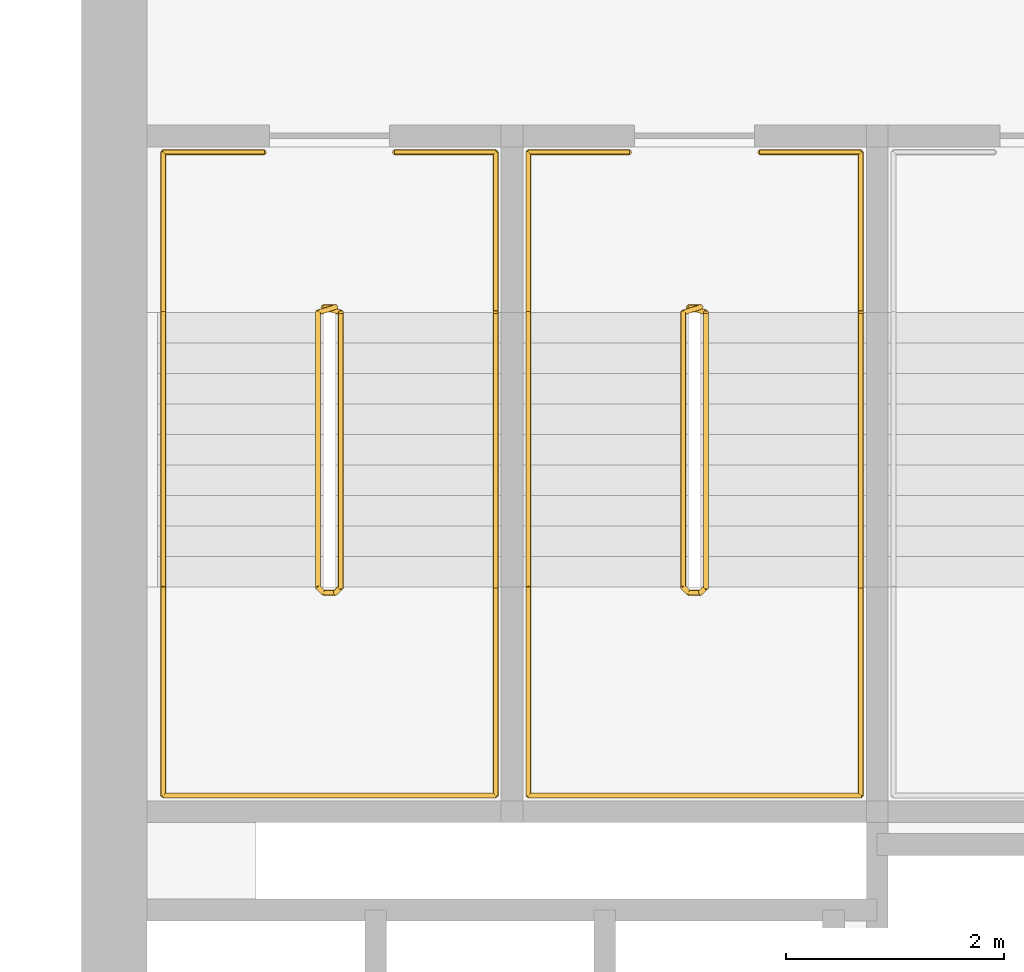
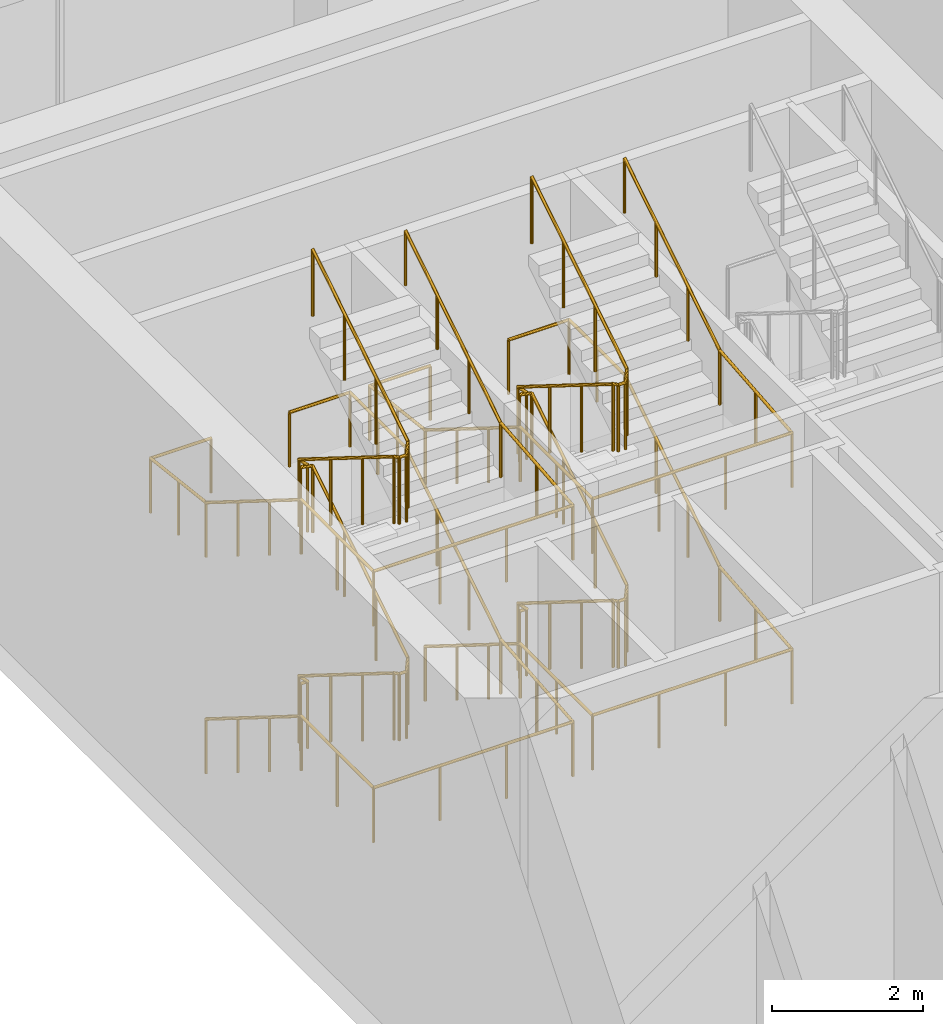
# One storey, part 40 of 42: 6 railings.
"""IFC4 building model written with IfcOpenShell, lengths in metres."""

from ifc_helpers import new_model, si_unit, direction, frame, origin, origin_2d, place, context, subcontext, project, spatial, circle, extrude, material, type_object, element, save


model = new_model("IFC4")

# Units and contexts
model_context = context("Model", 3, precision=1e-05, world=origin(), true_north=direction((0.0, 1.0)))
body_context = subcontext(model_context, "Body", "Model", "MODEL_VIEW")
ifc_project = project(units=[si_unit("LENGTHUNIT", "METRE"), si_unit("AREAUNIT", "SQUARE_METRE"), si_unit("VOLUMEUNIT", "CUBIC_METRE"), si_unit("PLANEANGLEUNIT", "RADIAN"), si_unit("MASSUNIT", "GRAM", prefix="KILO")], contexts=[model_context])

# Site, building, storey
site_placement = place(None, origin())
site = spatial("IfcSite", under=ifc_project, at=site_placement, CompositionType="ELEMENT")
building_placement = place(site_placement, origin())
building = spatial("IfcBuilding", under=site, at=building_placement, Name="Tessera Arch", CompositionType="ELEMENT")
storey_placement = place(building_placement, frame((0.0, 0.0, 14.0)))
storey = spatial("IfcBuildingStorey", under=building, at=storey_placement, Name="L02", CompositionType="ELEMENT", Elevation=14.0)

# Railings
ifc_material_1 = material(Name="Painted steel balustrade", Category="steel")
railing_type_1 = type_object("IfcRailingType", Name="Stair guard 1100", PredefinedType="GUARDRAIL", material=ifc_material_1)
railing_1_placement = place(storey_placement, frame((38.219970703125, 43.6298828125, 0.0)))
element("IfcRailing", 1, at=railing_1_placement, inside=storey, type_object=railing_type_1, Name="L02 S1a stair guard 1", PredefinedType="GUARDRAIL", context=body_context, shape_type="SweptSolid", body=[
    extrude(circle(Radius=0.02392578125, at=origin_2d()), frame((-0.00390625, 0.0, 1.076171875), z_axis=(1.0, 0.0, 0.0), x_axis=(0.0, 1.0, 0.0)), (0.0, 0.0, 1.0), 0.1181640625),
    extrude(circle(Radius=0.02392578125, at=origin_2d()), frame((0.11279296875, 0.000732421875, 1.0732421875), z_axis=(-0.660627050495, -0.205438899849, 0.722057309764), x_axis=(0.296948579431, -0.954893471113, 0.0)), (0.0, 0.0, 1.0), 0.25048828125),
    extrude(circle(Radius=0.02392578125, at=origin_2d()), frame((-0.050048828125, -0.04638671875, 1.2490234375), z_axis=(0.0, -0.848007534815, 0.529984170421), x_axis=(1.0, 0.0, 0.0)), (0.0, 0.0, 1.0), 2.979736328125),
    extrude(circle(Radius=0.02392578125, at=origin_2d()), frame((-0.052978515625, -2.56689453125, 2.826171875), z_axis=(0.707106781187, -0.707106781187, 0.0), x_axis=(0.707106781187, 0.707106781187, 0.0)), (0.0, 0.0, 1.0), 0.078857421875),
    extrude(circle(Radius=0.02392578125, at=origin_2d()), frame((-0.00390625, -2.619873046875, 2.826171875), z_axis=(1.0, 0.0, 0.0), x_axis=(0.0, 1.0, 0.0)), (0.0, 0.0, 1.0), 0.1181640625),
    extrude(circle(Radius=0.02392578125, at=origin_2d()), frame((0.109130859375, -2.620849609375, 2.822265625), z_axis=(0.263862480399, 0.265155923931, 0.927399011991), x_axis=(-0.708833529934, 0.705375805398, 0.0)), (0.0, 0.0, 1.0), 0.19677734375),
    extrude(circle(Radius=0.02392578125, at=origin_2d()), frame((0.159912109375, -2.5732421875, 2.9990234375), z_axis=(0.0, 0.848007534815, 0.529984170421), x_axis=(-1.0, 0.0, 0.0)), (0.0, 0.0, 1.0), 2.979736328125),
    extrude(circle(Radius=0.02392578125, at=origin_2d()), frame((0.163818359375, -0.051025390625, 4.576171875), z_axis=(-0.954764847777, 0.297361876254, 0.0), x_axis=(-0.297361876254, -0.954764847777, 0.0)), (0.0, 0.0, 1.0), 0.175537109375),
    extrude(circle(Radius=0.02392578125, at=origin_2d()), frame((-0.00390625, 0.0, 4.576171875), z_axis=(1.0, 0.0, 0.0), x_axis=(0.0, 1.0, 0.0)), (0.0, 0.0, 1.0), 0.1181640625),
    extrude(circle(Radius=0.02392578125, at=origin_2d()), frame((0.11279296875, 0.000732421875, 4.5732421875), z_axis=(-0.660627050495, -0.205438899849, 0.722057309764), x_axis=(0.296948579431, -0.954893471113, 0.0)), (0.0, 0.0, 1.0), 0.25048828125),
    extrude(circle(Radius=0.02392578125, at=origin_2d()), frame((-0.050048828125, -0.04638671875, 4.7490234375), z_axis=(0.0, -0.848007534815, 0.529984170421), x_axis=(1.0, 0.0, 0.0)), (0.0, 0.0, 1.0), 2.979736328125),
    extrude(circle(Radius=0.02392578125, at=origin_2d()), frame((-0.052978515625, -2.56689453125, 6.326171875), z_axis=(0.707106781187, -0.707106781187, 0.0), x_axis=(0.707106781187, 0.707106781187, 0.0)), (0.0, 0.0, 1.0), 0.078857421875),
    extrude(circle(Radius=0.02392578125, at=origin_2d()), frame((-0.00390625, -2.619873046875, 6.326171875), z_axis=(1.0, 0.0, 0.0), x_axis=(0.0, 1.0, 0.0)), (0.0, 0.0, 1.0), 0.1181640625),
    extrude(circle(Radius=0.02392578125, at=origin_2d()), frame((0.109130859375, -2.620849609375, 6.322265625), z_axis=(0.263862480399, 0.265155923931, 0.927399011991), x_axis=(-0.708833529934, 0.705375805398, 0.0)), (0.0, 0.0, 1.0), 0.19677734375),
    extrude(circle(Radius=0.02392578125, at=origin_2d()), frame((0.159912109375, -2.5732421875, 6.4990234375), z_axis=(0.0, 0.848007534815, 0.529984170421), x_axis=(-1.0, 0.0, 0.0)), (0.0, 0.0, 1.0), 2.979736328125),
    extrude(circle(Radius=0.02099609375, at=origin_2d()), origin(), (0.0, 0.0, 1.0), 1.06396484375),
    extrude(circle(Radius=0.02099609375, at=origin_2d()), frame((0.110107421875, 0.0, 0.0)), (0.0, 0.0, 1.0), 1.06396484375),
    extrude(circle(Radius=0.02099609375, at=origin_2d()), frame((-0.050048828125, -0.0498046875, 0.175048828125)), (0.0, 0.0, 1.0), 1.06396484375),
    extrude(circle(Radius=0.02099609375, at=origin_2d()), frame((-0.050048828125, -0.889892578125, 0.699951171875)), (0.0, 0.0, 1.0), 1.06396484375),
    extrude(circle(Radius=0.02099609375, at=origin_2d()), frame((-0.050048828125, -1.729736328125, 1.22509765625)), (0.0, 0.0, 1.0), 1.06396484375),
    extrude(circle(Radius=0.02099609375, at=origin_2d()), frame((-0.050048828125, -2.56982421875, 1.75)), (0.0, 0.0, 1.0), 1.06396484375),
    extrude(circle(Radius=0.02099609375, at=origin_2d()), frame((0.0, -2.619873046875, 1.75)), (0.0, 0.0, 1.0), 1.06396484375),
    extrude(circle(Radius=0.02099609375, at=origin_2d()), frame((0.110107421875, -2.619873046875, 1.75)), (0.0, 0.0, 1.0), 1.06396484375),
    extrude(circle(Radius=0.02099609375, at=origin_2d()), frame((0.159912109375, -2.56982421875, 1.925048828125)), (0.0, 0.0, 1.0), 1.06396484375),
    extrude(circle(Radius=0.02099609375, at=origin_2d()), frame((0.159912109375, -1.729736328125, 2.449951171875)), (0.0, 0.0, 1.0), 1.06396484375),
    extrude(circle(Radius=0.02099609375, at=origin_2d()), frame((0.159912109375, -0.889892578125, 2.97509765625)), (0.0, 0.0, 1.0), 1.06396484375),
    extrude(circle(Radius=0.02099609375, at=origin_2d()), frame((0.159912109375, -0.0498046875, 3.5)), (0.0, 0.0, 1.0), 1.06396484375),
    extrude(circle(Radius=0.02099609375, at=origin_2d()), frame((0.0, 0.0, 3.5)), (0.0, 0.0, 1.0), 1.06396484375),
    extrude(circle(Radius=0.02099609375, at=origin_2d()), frame((0.110107421875, 0.0, 3.5)), (0.0, 0.0, 1.0), 1.06396484375),
    extrude(circle(Radius=0.02099609375, at=origin_2d()), frame((-0.050048828125, -0.0498046875, 3.675048828125)), (0.0, 0.0, 1.0), 1.06396484375),
    extrude(circle(Radius=0.02099609375, at=origin_2d()), frame((-0.050048828125, -0.889892578125, 4.199951171875)), (0.0, 0.0, 1.0), 1.06396484375),
    extrude(circle(Radius=0.02099609375, at=origin_2d()), frame((-0.050048828125, -1.729736328125, 4.72509765625)), (0.0, 0.0, 1.0), 1.06396484375),
    extrude(circle(Radius=0.02099609375, at=origin_2d()), frame((-0.050048828125, -2.56982421875, 5.25)), (0.0, 0.0, 1.0), 1.06396484375),
    extrude(circle(Radius=0.02099609375, at=origin_2d()), frame((0.0, -2.619873046875, 5.25)), (0.0, 0.0, 1.0), 1.06396484375),
    extrude(circle(Radius=0.02099609375, at=origin_2d()), frame((0.110107421875, -2.619873046875, 5.25)), (0.0, 0.0, 1.0), 1.06396484375),
    extrude(circle(Radius=0.02099609375, at=origin_2d()), frame((0.159912109375, -2.56982421875, 5.425048828125)), (0.0, 0.0, 1.0), 1.06396484375),
    extrude(circle(Radius=0.02099609375, at=origin_2d()), frame((0.159912109375, -1.729736328125, 5.949951171875)), (0.0, 0.0, 1.0), 1.06396484375),
    extrude(circle(Radius=0.02099609375, at=origin_2d()), frame((0.159912109375, -0.889892578125, 6.47509765625)), (0.0, 0.0, 1.0), 1.06396484375),
    extrude(circle(Radius=0.02099609375, at=origin_2d()), frame((0.159912109375, -0.0498046875, 7.0)), (0.0, 0.0, 1.0), 1.06396484375),
])
railing_2_placement = place(storey_placement, frame((41.570068359375, 43.6298828125, 0.0)))
element("IfcRailing", 2, at=railing_2_placement, inside=storey, type_object=railing_type_1, Name="L02 S1b stair guard 1", PredefinedType="GUARDRAIL", context=body_context, shape_type="SweptSolid", body=[
    extrude(circle(Radius=0.02392578125, at=origin_2d()), frame((-0.00390625, 0.0, 1.076171875), z_axis=(1.0, 0.0, 0.0), x_axis=(0.0, 1.0, 0.0)), (0.0, 0.0, 1.0), 0.117919921875),
    extrude(circle(Radius=0.02392578125, at=origin_2d()), frame((0.112548828125, 0.000732421875, 1.0732421875), z_axis=(-0.660058936767, -0.205575607787, 0.722537797957), x_axis=(0.297361876254, -0.954764847777, 0.0)), (0.0, 0.0, 1.0), 0.250244140625),
    extrude(circle(Radius=0.02392578125, at=origin_2d()), frame((-0.050048828125, -0.04638671875, 1.2490234375), z_axis=(0.0, -0.848007534815, 0.529984170421), x_axis=(1.0, 0.0, 0.0)), (0.0, 0.0, 1.0), 2.979736328125),
    extrude(circle(Radius=0.02392578125, at=origin_2d()), frame((-0.052978515625, -2.56689453125, 2.826171875), z_axis=(0.707106781187, -0.707106781187, 0.0), x_axis=(0.707106781187, 0.707106781187, 0.0)), (0.0, 0.0, 1.0), 0.078857421875),
    extrude(circle(Radius=0.02392578125, at=origin_2d()), frame((-0.00390625, -2.619873046875, 2.826171875), z_axis=(1.0, 0.0, 0.0), x_axis=(0.0, 1.0, 0.0)), (0.0, 0.0, 1.0), 0.117919921875),
    extrude(circle(Radius=0.02392578125, at=origin_2d()), frame((0.10888671875, -2.620849609375, 2.822265625), z_axis=(0.265065253269, 0.265065253269, 0.927081885822), x_axis=(-0.707106781187, 0.707106781187, 0.0)), (0.0, 0.0, 1.0), 0.19677734375),
    extrude(circle(Radius=0.02392578125, at=origin_2d()), frame((0.159912109375, -2.5732421875, 2.9990234375), z_axis=(0.0, 0.848007534815, 0.529984170421), x_axis=(-1.0, 0.0, 0.0)), (0.0, 0.0, 1.0), 2.979736328125),
    extrude(circle(Radius=0.02392578125, at=origin_2d()), frame((0.163818359375, -0.051025390625, 4.576171875), z_axis=(-0.954764847777, 0.297361876254, 0.0), x_axis=(-0.297361876254, -0.954764847777, 0.0)), (0.0, 0.0, 1.0), 0.175537109375),
    extrude(circle(Radius=0.02392578125, at=origin_2d()), frame((-0.00390625, 0.0, 4.576171875), z_axis=(1.0, 0.0, 0.0), x_axis=(0.0, 1.0, 0.0)), (0.0, 0.0, 1.0), 0.117919921875),
    extrude(circle(Radius=0.02392578125, at=origin_2d()), frame((0.112548828125, 0.000732421875, 4.5732421875), z_axis=(-0.660058936767, -0.205575607787, 0.722537797957), x_axis=(0.297361876254, -0.954764847777, 0.0)), (0.0, 0.0, 1.0), 0.250244140625),
    extrude(circle(Radius=0.02392578125, at=origin_2d()), frame((-0.050048828125, -0.04638671875, 4.7490234375), z_axis=(0.0, -0.848007534815, 0.529984170421), x_axis=(1.0, 0.0, 0.0)), (0.0, 0.0, 1.0), 2.979736328125),
    extrude(circle(Radius=0.02392578125, at=origin_2d()), frame((-0.052978515625, -2.56689453125, 6.326171875), z_axis=(0.707106781187, -0.707106781187, 0.0), x_axis=(0.707106781187, 0.707106781187, 0.0)), (0.0, 0.0, 1.0), 0.078857421875),
    extrude(circle(Radius=0.02392578125, at=origin_2d()), frame((-0.00390625, -2.619873046875, 6.326171875), z_axis=(1.0, 0.0, 0.0), x_axis=(0.0, 1.0, 0.0)), (0.0, 0.0, 1.0), 0.117919921875),
    extrude(circle(Radius=0.02392578125, at=origin_2d()), frame((0.10888671875, -2.620849609375, 6.322265625), z_axis=(0.265065253269, 0.265065253269, 0.927081885822), x_axis=(-0.707106781187, 0.707106781187, 0.0)), (0.0, 0.0, 1.0), 0.19677734375),
    extrude(circle(Radius=0.02392578125, at=origin_2d()), frame((0.159912109375, -2.5732421875, 6.4990234375), z_axis=(0.0, 0.848007534815, 0.529984170421), x_axis=(-1.0, 0.0, 0.0)), (0.0, 0.0, 1.0), 2.979736328125),
    extrude(circle(Radius=0.02099609375, at=origin_2d()), origin(), (0.0, 0.0, 1.0), 1.06396484375),
    extrude(circle(Radius=0.02099609375, at=origin_2d()), frame((0.10986328125, 0.0, 0.0)), (0.0, 0.0, 1.0), 1.06396484375),
    extrude(circle(Radius=0.02099609375, at=origin_2d()), frame((-0.050048828125, -0.0498046875, 0.175048828125)), (0.0, 0.0, 1.0), 1.06396484375),
    extrude(circle(Radius=0.02099609375, at=origin_2d()), frame((-0.050048828125, -0.889892578125, 0.699951171875)), (0.0, 0.0, 1.0), 1.06396484375),
    extrude(circle(Radius=0.02099609375, at=origin_2d()), frame((-0.050048828125, -1.729736328125, 1.22509765625)), (0.0, 0.0, 1.0), 1.06396484375),
    extrude(circle(Radius=0.02099609375, at=origin_2d()), frame((-0.050048828125, -2.56982421875, 1.75)), (0.0, 0.0, 1.0), 1.06396484375),
    extrude(circle(Radius=0.02099609375, at=origin_2d()), frame((0.0, -2.619873046875, 1.75)), (0.0, 0.0, 1.0), 1.06396484375),
    extrude(circle(Radius=0.02099609375, at=origin_2d()), frame((0.10986328125, -2.619873046875, 1.75)), (0.0, 0.0, 1.0), 1.06396484375),
    extrude(circle(Radius=0.02099609375, at=origin_2d()), frame((0.159912109375, -2.56982421875, 1.925048828125)), (0.0, 0.0, 1.0), 1.06396484375),
    extrude(circle(Radius=0.02099609375, at=origin_2d()), frame((0.159912109375, -1.729736328125, 2.449951171875)), (0.0, 0.0, 1.0), 1.06396484375),
    extrude(circle(Radius=0.02099609375, at=origin_2d()), frame((0.159912109375, -0.889892578125, 2.97509765625)), (0.0, 0.0, 1.0), 1.06396484375),
    extrude(circle(Radius=0.02099609375, at=origin_2d()), frame((0.159912109375, -0.0498046875, 3.5)), (0.0, 0.0, 1.0), 1.06396484375),
    extrude(circle(Radius=0.02099609375, at=origin_2d()), frame((0.0, 0.0, 3.5)), (0.0, 0.0, 1.0), 1.06396484375),
    extrude(circle(Radius=0.02099609375, at=origin_2d()), frame((0.10986328125, 0.0, 3.5)), (0.0, 0.0, 1.0), 1.06396484375),
    extrude(circle(Radius=0.02099609375, at=origin_2d()), frame((-0.050048828125, -0.0498046875, 3.675048828125)), (0.0, 0.0, 1.0), 1.06396484375),
    extrude(circle(Radius=0.02099609375, at=origin_2d()), frame((-0.050048828125, -0.889892578125, 4.199951171875)), (0.0, 0.0, 1.0), 1.06396484375),
    extrude(circle(Radius=0.02099609375, at=origin_2d()), frame((-0.050048828125, -1.729736328125, 4.72509765625)), (0.0, 0.0, 1.0), 1.06396484375),
    extrude(circle(Radius=0.02099609375, at=origin_2d()), frame((-0.050048828125, -2.56982421875, 5.25)), (0.0, 0.0, 1.0), 1.06396484375),
    extrude(circle(Radius=0.02099609375, at=origin_2d()), frame((0.0, -2.619873046875, 5.25)), (0.0, 0.0, 1.0), 1.06396484375),
    extrude(circle(Radius=0.02099609375, at=origin_2d()), frame((0.10986328125, -2.619873046875, 5.25)), (0.0, 0.0, 1.0), 1.06396484375),
    extrude(circle(Radius=0.02099609375, at=origin_2d()), frame((0.159912109375, -2.56982421875, 5.425048828125)), (0.0, 0.0, 1.0), 1.06396484375),
    extrude(circle(Radius=0.02099609375, at=origin_2d()), frame((0.159912109375, -1.729736328125, 5.949951171875)), (0.0, 0.0, 1.0), 1.06396484375),
    extrude(circle(Radius=0.02099609375, at=origin_2d()), frame((0.159912109375, -0.889892578125, 6.47509765625)), (0.0, 0.0, 1.0), 1.06396484375),
    extrude(circle(Radius=0.02099609375, at=origin_2d()), frame((0.159912109375, -0.0498046875, 7.0)), (0.0, 0.0, 1.0), 1.06396484375),
])
ifc_material_2 = material(Name="Painted steel handrail", Category="steel")
railing_type_2 = type_object("IfcRailingType", Name="Stair handrail 900", PredefinedType="HANDRAIL", material=ifc_material_2)
railing_3_placement = place(storey_placement, frame((36.75, 43.580078125, 0.175048828125)))
element("IfcRailing", 3, at=railing_3_placement, inside=storey, type_object=railing_type_2, Name="L02 S1a stair handrail", PredefinedType="HANDRAIL", context=body_context, shape_type="SweptSolid", body=[
    extrude(circle(Radius=0.02392578125, at=origin_2d()), frame((0.0, 0.00341796875, 0.873779296875), z_axis=(0.0, -0.848007534815, 0.529984170421), x_axis=(1.0, 0.0, 0.0)), (0.0, 0.0, 1.0), 2.979736328125),
    extrude(circle(Radius=0.02392578125, at=origin_2d()), frame((0.0, -2.51611328125, 2.45068359375), z_axis=(0.0, -1.0, 0.0), x_axis=(1.0, 0.0, 0.0)), (0.0, 0.0, 1.0), 1.918212890625),
    extrude(circle(Radius=0.02392578125, at=origin_2d()), frame((-0.00390625, -4.43017578125, 2.45068359375), z_axis=(1.0, 0.0, 0.0), x_axis=(0.0, 1.0, 0.0)), (0.0, 0.0, 1.0), 3.05810546875),
    extrude(circle(Radius=0.02392578125, at=origin_2d()), frame((3.050048828125, -4.43408203125, 2.450439453125), z_axis=(0.0, 0.995827218239, 0.091258705966), x_axis=(-1.0, 0.0, 0.0)), (0.0, 0.0, 1.0), 1.92626953125),
    extrude(circle(Radius=0.02392578125, at=origin_2d()), frame((3.050048828125, -2.5234375, 2.623779296875), z_axis=(0.0, 0.848007534815, 0.529984170421), x_axis=(-1.0, 0.0, 0.0)), (0.0, 0.0, 1.0), 2.979736328125),
    extrude(circle(Radius=0.02392578125, at=origin_2d()), frame((3.050048828125, -0.00390625, 4.20068359375), z_axis=(0.0, 1.0, 0.0), x_axis=(-1.0, 0.0, 0.0)), (0.0, 0.0, 1.0), 1.47802734375),
    extrude(circle(Radius=0.02392578125, at=origin_2d()), frame((3.053955078125, 1.469970703125, 4.20068359375), z_axis=(-1.0, 0.0, 0.0), x_axis=(0.0, -1.0, 0.0)), (0.0, 0.0, 1.0), 0.93310546875),
    extrude(circle(Radius=0.02099609375, at=origin_2d()), origin(), (0.0, 0.0, 1.0), 0.86376953125),
    extrude(circle(Radius=0.02099609375, at=origin_2d()), frame((0.0, -0.840087890625, 0.52490234375)), (0.0, 0.0, 1.0), 0.86376953125),
    extrude(circle(Radius=0.02099609375, at=origin_2d()), frame((0.0, -1.679931640625, 1.050048828125)), (0.0, 0.0, 1.0), 0.86376953125),
    extrude(circle(Radius=0.02099609375, at=origin_2d()), frame((0.0, -2.52001953125, 1.574951171875)), (0.0, 0.0, 1.0), 0.86376953125),
    extrude(circle(Radius=0.02099609375, at=origin_2d()), frame((0.0, -3.47509765625, 1.574951171875)), (0.0, 0.0, 1.0), 0.86376953125),
    extrude(circle(Radius=0.02099609375, at=origin_2d()), frame((0.0, -4.43017578125, 1.574951171875)), (0.0, 0.0, 1.0), 0.86376953125),
    extrude(circle(Radius=0.02099609375, at=origin_2d()), frame((1.0166015625, -4.43017578125, 1.574951171875)), (0.0, 0.0, 1.0), 0.86376953125),
    extrude(circle(Radius=0.02099609375, at=origin_2d()), frame((2.033447265625, -4.43017578125, 1.574951171875)), (0.0, 0.0, 1.0), 0.86376953125),
    extrude(circle(Radius=0.02099609375, at=origin_2d()), frame((3.050048828125, -4.43017578125, 1.574951171875)), (0.0, 0.0, 1.0), 0.86376953125),
    extrude(circle(Radius=0.02099609375, at=origin_2d()), frame((3.050048828125, -3.47509765625, 1.66259765625)), (0.0, 0.0, 1.0), 0.86376953125),
    extrude(circle(Radius=0.02099609375, at=origin_2d()), frame((3.050048828125, -2.52001953125, 1.75)), (0.0, 0.0, 1.0), 0.86376953125),
    extrude(circle(Radius=0.02099609375, at=origin_2d()), frame((3.050048828125, -1.679931640625, 2.27490234375)), (0.0, 0.0, 1.0), 0.86376953125),
    extrude(circle(Radius=0.02099609375, at=origin_2d()), frame((3.050048828125, -0.840087890625, 2.800048828125)), (0.0, 0.0, 1.0), 0.86376953125),
    extrude(circle(Radius=0.02099609375, at=origin_2d()), frame((3.050048828125, 0.0, 3.324951171875)), (0.0, 0.0, 1.0), 0.86376953125),
    extrude(circle(Radius=0.02099609375, at=origin_2d()), frame((3.050048828125, 0.73486328125, 3.324951171875)), (0.0, 0.0, 1.0), 0.86376953125),
    extrude(circle(Radius=0.02099609375, at=origin_2d()), frame((3.050048828125, 1.469970703125, 3.324951171875)), (0.0, 0.0, 1.0), 0.86376953125),
    extrude(circle(Radius=0.02099609375, at=origin_2d()), frame((2.125, 1.469970703125, 3.324951171875)), (0.0, 0.0, 1.0), 0.86376953125),
])
railing_4_placement = place(storey_placement, frame((37.675048828125, 45.050048828125, 3.5)))
element("IfcRailing", 4, at=railing_4_placement, inside=storey, type_object=railing_type_2, Name="L02 S1a stair handrail 2", PredefinedType="HANDRAIL", context=body_context, shape_type="SweptSolid", body=[
    extrude(circle(Radius=0.02392578125, at=origin_2d()), frame((0.00390625, 0.0, 0.8759765625), z_axis=(-1.0, 0.0, 0.0), x_axis=(0.0, -1.0, 0.0)), (0.0, 0.0, 1.0), 0.93310546875),
    extrude(circle(Radius=0.02392578125, at=origin_2d()), frame((-0.925048828125, 0.00390625, 0.87548828125), z_axis=(0.0, -0.992984125229, 0.118247735889), x_axis=(1.0, 0.0, 0.0)), (0.0, 0.0, 1.0), 1.48828125),
    extrude(circle(Radius=0.02392578125, at=origin_2d()), frame((-0.925048828125, -1.466552734375, 1.048828125), z_axis=(0.0, -0.848007534815, 0.529984170421), x_axis=(1.0, 0.0, 0.0)), (0.0, 0.0, 1.0), 2.979736328125),
    extrude(circle(Radius=0.02392578125, at=origin_2d()), frame((-0.925048828125, -3.986083984375, 2.6259765625), z_axis=(0.0, -1.0, 0.0), x_axis=(1.0, 0.0, 0.0)), (0.0, 0.0, 1.0), 1.918212890625),
    extrude(circle(Radius=0.02392578125, at=origin_2d()), frame((-0.928955078125, -5.900146484375, 2.6259765625), z_axis=(1.0, 0.0, 0.0), x_axis=(0.0, 1.0, 0.0)), (0.0, 0.0, 1.0), 3.05810546875),
    extrude(circle(Radius=0.02392578125, at=origin_2d()), frame((2.125, -5.904052734375, 2.62548828125), z_axis=(0.0, 0.995827218239, 0.091258705966), x_axis=(-1.0, 0.0, 0.0)), (0.0, 0.0, 1.0), 1.92626953125),
    extrude(circle(Radius=0.02392578125, at=origin_2d()), frame((2.125, -3.993408203125, 2.798828125), z_axis=(0.0, 0.848007534815, 0.529984170421), x_axis=(-1.0, 0.0, 0.0)), (0.0, 0.0, 1.0), 2.979736328125),
    extrude(circle(Radius=0.02099609375, at=origin_2d()), origin(), (0.0, 0.0, 1.0), 0.86376953125),
    extrude(circle(Radius=0.02099609375, at=origin_2d()), frame((-0.925048828125, 0.0, 0.0)), (0.0, 0.0, 1.0), 0.86376953125),
    extrude(circle(Radius=0.02099609375, at=origin_2d()), frame((-0.925048828125, -0.73486328125, 0.08740234375)), (0.0, 0.0, 1.0), 0.86376953125),
    extrude(circle(Radius=0.02099609375, at=origin_2d()), frame((-0.925048828125, -1.469970703125, 0.175048828125)), (0.0, 0.0, 1.0), 0.86376953125),
    extrude(circle(Radius=0.02099609375, at=origin_2d()), frame((-0.925048828125, -2.31005859375, 0.699951171875)), (0.0, 0.0, 1.0), 0.86376953125),
    extrude(circle(Radius=0.02099609375, at=origin_2d()), frame((-0.925048828125, -3.14990234375, 1.22509765625)), (0.0, 0.0, 1.0), 0.86376953125),
    extrude(circle(Radius=0.02099609375, at=origin_2d()), frame((-0.925048828125, -3.989990234375, 1.75)), (0.0, 0.0, 1.0), 0.86376953125),
    extrude(circle(Radius=0.02099609375, at=origin_2d()), frame((-0.925048828125, -4.945068359375, 1.75)), (0.0, 0.0, 1.0), 0.86376953125),
    extrude(circle(Radius=0.02099609375, at=origin_2d()), frame((-0.925048828125, -5.900146484375, 1.75)), (0.0, 0.0, 1.0), 0.86376953125),
    extrude(circle(Radius=0.02099609375, at=origin_2d()), frame((0.091552734375, -5.900146484375, 1.75)), (0.0, 0.0, 1.0), 0.86376953125),
    extrude(circle(Radius=0.02099609375, at=origin_2d()), frame((1.1083984375, -5.900146484375, 1.75)), (0.0, 0.0, 1.0), 0.86376953125),
    extrude(circle(Radius=0.02099609375, at=origin_2d()), frame((2.125, -5.900146484375, 1.75)), (0.0, 0.0, 1.0), 0.86376953125),
    extrude(circle(Radius=0.02099609375, at=origin_2d()), frame((2.125, -4.945068359375, 1.83740234375)), (0.0, 0.0, 1.0), 0.86376953125),
    extrude(circle(Radius=0.02099609375, at=origin_2d()), frame((2.125, -3.989990234375, 1.925048828125)), (0.0, 0.0, 1.0), 0.86376953125),
    extrude(circle(Radius=0.02099609375, at=origin_2d()), frame((2.125, -3.14990234375, 2.449951171875)), (0.0, 0.0, 1.0), 0.86376953125),
    extrude(circle(Radius=0.02099609375, at=origin_2d()), frame((2.125, -2.31005859375, 2.97509765625)), (0.0, 0.0, 1.0), 0.86376953125),
    extrude(circle(Radius=0.02099609375, at=origin_2d()), frame((2.125, -1.469970703125, 3.5)), (0.0, 0.0, 1.0), 0.86376953125),
])
railing_5_placement = place(storey_placement, frame((40.10009765625, 43.580078125, 0.175048828125)))
element("IfcRailing", 5, at=railing_5_placement, inside=storey, type_object=railing_type_2, Name="L02 S1b stair handrail", PredefinedType="HANDRAIL", context=body_context, shape_type="SweptSolid", body=[
    extrude(circle(Radius=0.02392578125, at=origin_2d()), frame((0.0, 0.00341796875, 0.873779296875), z_axis=(0.0, -0.848007534815, 0.529984170421), x_axis=(1.0, 0.0, 0.0)), (0.0, 0.0, 1.0), 2.979736328125),
    extrude(circle(Radius=0.02392578125, at=origin_2d()), frame((0.0, -2.51611328125, 2.45068359375), z_axis=(0.0, -1.0, 0.0), x_axis=(1.0, 0.0, 0.0)), (0.0, 0.0, 1.0), 1.918212890625),
    extrude(circle(Radius=0.02392578125, at=origin_2d()), frame((-0.00390625, -4.43017578125, 2.45068359375), z_axis=(1.0, 0.0, 0.0), x_axis=(0.0, 1.0, 0.0)), (0.0, 0.0, 1.0), 3.057861328125),
    extrude(circle(Radius=0.02392578125, at=origin_2d()), frame((3.0498046875, -4.43408203125, 2.450439453125), z_axis=(0.0, 0.995827218239, 0.091258705966), x_axis=(-1.0, 0.0, 0.0)), (0.0, 0.0, 1.0), 1.92626953125),
    extrude(circle(Radius=0.02392578125, at=origin_2d()), frame((3.0498046875, -2.5234375, 2.623779296875), z_axis=(0.0, 0.848007534815, 0.529984170421), x_axis=(-1.0, 0.0, 0.0)), (0.0, 0.0, 1.0), 2.979736328125),
    extrude(circle(Radius=0.02392578125, at=origin_2d()), frame((3.0498046875, -0.00390625, 4.20068359375), z_axis=(0.0, 1.0, 0.0), x_axis=(-1.0, 0.0, 0.0)), (0.0, 0.0, 1.0), 1.47802734375),
    extrude(circle(Radius=0.02392578125, at=origin_2d()), frame((3.0537109375, 1.469970703125, 4.20068359375), z_axis=(-1.0, 0.0, 0.0), x_axis=(0.0, -1.0, 0.0)), (0.0, 0.0, 1.0), 0.932861328125),
    extrude(circle(Radius=0.02099609375, at=origin_2d()), origin(), (0.0, 0.0, 1.0), 0.86376953125),
    extrude(circle(Radius=0.02099609375, at=origin_2d()), frame((0.0, -0.840087890625, 0.52490234375)), (0.0, 0.0, 1.0), 0.86376953125),
    extrude(circle(Radius=0.02099609375, at=origin_2d()), frame((0.0, -1.679931640625, 1.050048828125)), (0.0, 0.0, 1.0), 0.86376953125),
    extrude(circle(Radius=0.02099609375, at=origin_2d()), frame((0.0, -2.52001953125, 1.574951171875)), (0.0, 0.0, 1.0), 0.86376953125),
    extrude(circle(Radius=0.02099609375, at=origin_2d()), frame((0.0, -3.47509765625, 1.574951171875)), (0.0, 0.0, 1.0), 0.86376953125),
    extrude(circle(Radius=0.02099609375, at=origin_2d()), frame((0.0, -4.43017578125, 1.574951171875)), (0.0, 0.0, 1.0), 0.86376953125),
    extrude(circle(Radius=0.02099609375, at=origin_2d()), frame((1.0166015625, -4.43017578125, 1.574951171875)), (0.0, 0.0, 1.0), 0.86376953125),
    extrude(circle(Radius=0.02099609375, at=origin_2d()), frame((2.033203125, -4.43017578125, 1.574951171875)), (0.0, 0.0, 1.0), 0.86376953125),
    extrude(circle(Radius=0.02099609375, at=origin_2d()), frame((3.0498046875, -4.43017578125, 1.574951171875)), (0.0, 0.0, 1.0), 0.86376953125),
    extrude(circle(Radius=0.02099609375, at=origin_2d()), frame((3.0498046875, -3.47509765625, 1.66259765625)), (0.0, 0.0, 1.0), 0.86376953125),
    extrude(circle(Radius=0.02099609375, at=origin_2d()), frame((3.0498046875, -2.52001953125, 1.75)), (0.0, 0.0, 1.0), 0.86376953125),
    extrude(circle(Radius=0.02099609375, at=origin_2d()), frame((3.0498046875, -1.679931640625, 2.27490234375)), (0.0, 0.0, 1.0), 0.86376953125),
    extrude(circle(Radius=0.02099609375, at=origin_2d()), frame((3.0498046875, -0.840087890625, 2.800048828125)), (0.0, 0.0, 1.0), 0.86376953125),
    extrude(circle(Radius=0.02099609375, at=origin_2d()), frame((3.0498046875, 0.0, 3.324951171875)), (0.0, 0.0, 1.0), 0.86376953125),
    extrude(circle(Radius=0.02099609375, at=origin_2d()), frame((3.0498046875, 0.73486328125, 3.324951171875)), (0.0, 0.0, 1.0), 0.86376953125),
    extrude(circle(Radius=0.02099609375, at=origin_2d()), frame((3.0498046875, 1.469970703125, 3.324951171875)), (0.0, 0.0, 1.0), 0.86376953125),
    extrude(circle(Radius=0.02099609375, at=origin_2d()), frame((2.125, 1.469970703125, 3.324951171875)), (0.0, 0.0, 1.0), 0.86376953125),
])
railing_6_placement = place(storey_placement, frame((41.02490234375, 45.050048828125, 3.5)))
element("IfcRailing", 6, at=railing_6_placement, inside=storey, type_object=railing_type_2, Name="L02 S1b stair handrail 2", PredefinedType="HANDRAIL", context=body_context, shape_type="SweptSolid", body=[
    extrude(circle(Radius=0.02392578125, at=origin_2d()), frame((0.00390625, 0.0, 0.8759765625), z_axis=(-1.0, 0.0, 0.0), x_axis=(0.0, -1.0, 0.0)), (0.0, 0.0, 1.0), 0.932861328125),
    extrude(circle(Radius=0.02392578125, at=origin_2d()), frame((-0.9248046875, 0.00390625, 0.87548828125), z_axis=(0.0, -0.992984125229, 0.118247735889), x_axis=(1.0, 0.0, 0.0)), (0.0, 0.0, 1.0), 1.48828125),
    extrude(circle(Radius=0.02392578125, at=origin_2d()), frame((-0.9248046875, -1.466552734375, 1.048828125), z_axis=(0.0, -0.848007534815, 0.529984170421), x_axis=(1.0, 0.0, 0.0)), (0.0, 0.0, 1.0), 2.979736328125),
    extrude(circle(Radius=0.02392578125, at=origin_2d()), frame((-0.9248046875, -3.986083984375, 2.6259765625), z_axis=(0.0, -1.0, 0.0), x_axis=(1.0, 0.0, 0.0)), (0.0, 0.0, 1.0), 1.918212890625),
    extrude(circle(Radius=0.02392578125, at=origin_2d()), frame((-0.9287109375, -5.900146484375, 2.6259765625), z_axis=(1.0, 0.0, 0.0), x_axis=(0.0, 1.0, 0.0)), (0.0, 0.0, 1.0), 3.057861328125),
    extrude(circle(Radius=0.02392578125, at=origin_2d()), frame((2.125, -5.904052734375, 2.62548828125), z_axis=(0.0, 0.995827218239, 0.091258705966), x_axis=(-1.0, 0.0, 0.0)), (0.0, 0.0, 1.0), 1.92626953125),
    extrude(circle(Radius=0.02392578125, at=origin_2d()), frame((2.125, -3.993408203125, 2.798828125), z_axis=(0.0, 0.848007534815, 0.529984170421), x_axis=(-1.0, 0.0, 0.0)), (0.0, 0.0, 1.0), 2.979736328125),
    extrude(circle(Radius=0.02099609375, at=origin_2d()), origin(), (0.0, 0.0, 1.0), 0.86376953125),
    extrude(circle(Radius=0.02099609375, at=origin_2d()), frame((-0.9248046875, 0.0, 0.0)), (0.0, 0.0, 1.0), 0.86376953125),
    extrude(circle(Radius=0.02099609375, at=origin_2d()), frame((-0.9248046875, -0.73486328125, 0.08740234375)), (0.0, 0.0, 1.0), 0.86376953125),
    extrude(circle(Radius=0.02099609375, at=origin_2d()), frame((-0.9248046875, -1.469970703125, 0.175048828125)), (0.0, 0.0, 1.0), 0.86376953125),
    extrude(circle(Radius=0.02099609375, at=origin_2d()), frame((-0.9248046875, -2.31005859375, 0.699951171875)), (0.0, 0.0, 1.0), 0.86376953125),
    extrude(circle(Radius=0.02099609375, at=origin_2d()), frame((-0.9248046875, -3.14990234375, 1.22509765625)), (0.0, 0.0, 1.0), 0.86376953125),
    extrude(circle(Radius=0.02099609375, at=origin_2d()), frame((-0.9248046875, -3.989990234375, 1.75)), (0.0, 0.0, 1.0), 0.86376953125),
    extrude(circle(Radius=0.02099609375, at=origin_2d()), frame((-0.9248046875, -4.945068359375, 1.75)), (0.0, 0.0, 1.0), 0.86376953125),
    extrude(circle(Radius=0.02099609375, at=origin_2d()), frame((-0.9248046875, -5.900146484375, 1.75)), (0.0, 0.0, 1.0), 0.86376953125),
    extrude(circle(Radius=0.02099609375, at=origin_2d()), frame((0.091796875, -5.900146484375, 1.75)), (0.0, 0.0, 1.0), 0.86376953125),
    extrude(circle(Radius=0.02099609375, at=origin_2d()), frame((1.1083984375, -5.900146484375, 1.75)), (0.0, 0.0, 1.0), 0.86376953125),
    extrude(circle(Radius=0.02099609375, at=origin_2d()), frame((2.125, -5.900146484375, 1.75)), (0.0, 0.0, 1.0), 0.86376953125),
    extrude(circle(Radius=0.02099609375, at=origin_2d()), frame((2.125, -4.945068359375, 1.83740234375)), (0.0, 0.0, 1.0), 0.86376953125),
    extrude(circle(Radius=0.02099609375, at=origin_2d()), frame((2.125, -3.989990234375, 1.925048828125)), (0.0, 0.0, 1.0), 0.86376953125),
    extrude(circle(Radius=0.02099609375, at=origin_2d()), frame((2.125, -3.14990234375, 2.449951171875)), (0.0, 0.0, 1.0), 0.86376953125),
    extrude(circle(Radius=0.02099609375, at=origin_2d()), frame((2.125, -2.31005859375, 2.97509765625)), (0.0, 0.0, 1.0), 0.86376953125),
    extrude(circle(Radius=0.02099609375, at=origin_2d()), frame((2.125, -1.469970703125, 3.5)), (0.0, 0.0, 1.0), 0.86376953125),
])

save(model, "model.ifc")
